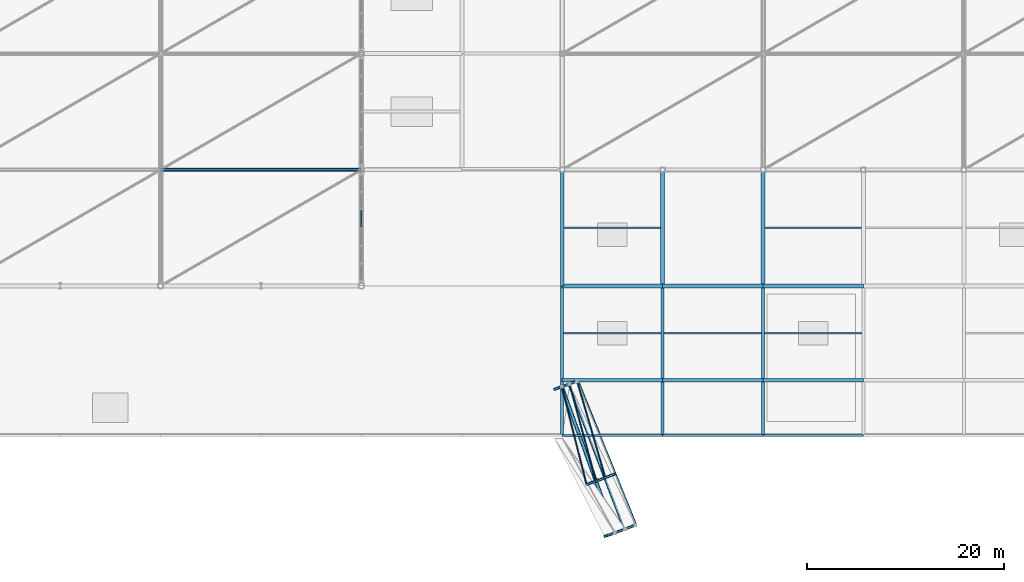
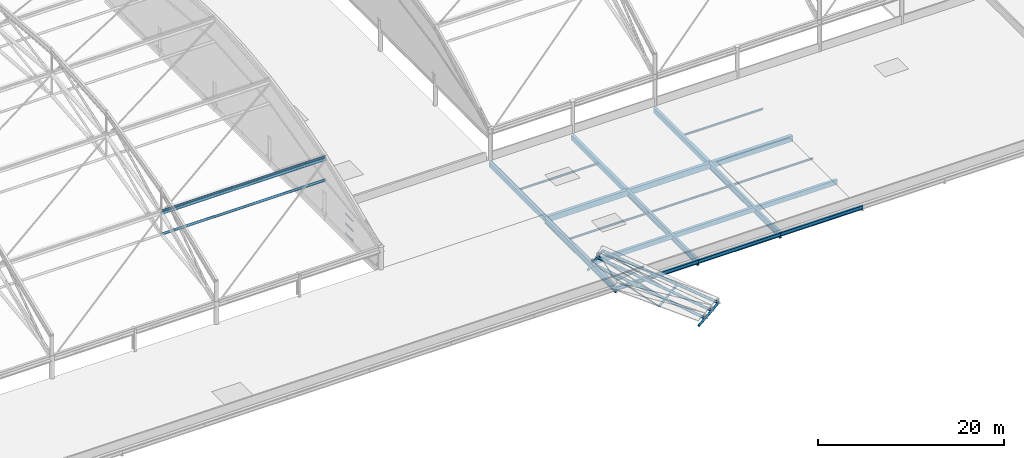
# One storey, part 47 of 135: 21 members, 20 beams, 1 element without a shape of its own.
"""IFC4 building model written with IfcOpenShell, lengths in metres."""

import ifcopenshell
import ifcopenshell.guid

model = None  # the IFC model being written
_history = None  # IfcOwnerHistory: only IFC2X3 demands one
_inside = {}  # id of a spatial element -> (the spatial element, [elements in it])
_under = {}  # id of a project, library or spatial element -> (it, [spatial elements below it])
_declared = {}  # id of a project -> (the project, [libraries it declares])
_typed = {}  # id of a type object -> (the type object, [elements of that type])
_made_of = {}  # id of a material, layer set ... -> (it, [elements and type objects made of it])


def new_model(schema):
    """Start an empty IFC model of exactly this schema.

    Asked for "IFC4X3", IfcOpenShell would pick the latest addendum, in which some entities
    have other attributes; the version numbers below select the first issue.
    IFC2X3 requires an IfcOwnerHistory on every rooted entity: one is made here for all.
    """
    global model, _history
    if schema == "IFC4X3":
        model = ifcopenshell.file(schema_version=(4, 3, 0, 0))
    else:
        model = ifcopenshell.file(schema=schema)
    _inside.clear()
    _under.clear()
    _declared.clear()
    _typed.clear()
    _made_of.clear()
    _history = None
    if model.schema == "IFC2X3":
        org = make("IfcOrganization", Name="unknown")
        user = make(
            "IfcPersonAndOrganization",
            ThePerson=make("IfcPerson", FamilyName="unknown"),
            TheOrganization=org,
        )
        app = make(
            "IfcApplication",
            ApplicationDeveloper=org,
            Version="unknown",
            ApplicationFullName="unknown",
            ApplicationIdentifier="unknown",
        )
        _history = make(
            "IfcOwnerHistory",
            OwningUser=user,
            OwningApplication=app,
            ChangeAction="ADDED",
            CreationDate=0,
        )
    return model


def make(cls, **values):
    """One entity of the class cls with the attributes given. An attribute that is None is left unset."""
    return model.create_entity(
        cls, **{name: value for name, value in values.items() if value is not None}
    )


def rooted(cls, **values):
    """An entity with a GlobalId (a new one), such as an element, a storey or a relation."""
    return make(cls, GlobalId=ifcopenshell.guid.new(), OwnerHistory=_history, **values)


def si_unit(unit_type, name, prefix=None):
    """IfcSIUnit, for example si_unit("LENGTHUNIT", "METRE", prefix="MILLI")."""
    return make("IfcSIUnit", UnitType=unit_type, Prefix=prefix, Name=name)


def assignment(units):
    """IfcUnitAssignment: the units of a project."""
    return None if units is None else make("IfcUnitAssignment", Units=units)


def point(xyz):
    """IfcCartesianPoint."""
    return None if xyz is None else make("IfcCartesianPoint", Coordinates=xyz)


def direction(xyz):
    """IfcDirection."""
    return None if xyz is None else make("IfcDirection", DirectionRatios=xyz)


def frame(location, z_axis=None, x_axis=None):
    """IfcAxis2Placement3D, a coordinate frame: its origin and axes. An axis left out is left unset."""
    return make(
        "IfcAxis2Placement3D",
        Location=point(location),
        Axis=direction(z_axis),
        RefDirection=direction(x_axis),
    )


def frame_2d(location, x_axis=None):
    """IfcAxis2Placement2D, a coordinate frame in the plane: its origin and x axis."""
    return make(
        "IfcAxis2Placement2D", Location=point(location), RefDirection=direction(x_axis)
    )


def origin():
    """The frame at (0, 0, 0) with its axes left unset."""
    return frame((0.0, 0.0, 0.0))


def origin_2d():
    """The frame at (0, 0) in the plane with its x axis left unset."""
    return frame_2d((0.0, 0.0))


def place(relative_to, where):
    """IfcLocalPlacement: puts the frame where relative to a parent placement (None: the world)."""
    return make(
        "IfcLocalPlacement", PlacementRelTo=relative_to, RelativePlacement=where
    )


def context(
    kind, dimensions, precision=None, world=None, true_north=None, identifier=None
):
    """IfcGeometricRepresentationContext, for example the 3D "Model" context."""
    return make(
        "IfcGeometricRepresentationContext",
        ContextIdentifier=identifier,
        ContextType=kind,
        CoordinateSpaceDimension=dimensions,
        Precision=precision,
        WorldCoordinateSystem=world,
        TrueNorth=true_north,
    )


def subcontext(parent, identifier, kind, view, scale=None):
    """IfcGeometricRepresentationSubContext, for example "Body" below "Model"."""
    return make(
        "IfcGeometricRepresentationSubContext",
        ContextIdentifier=identifier,
        ContextType=kind,
        ParentContext=parent,
        TargetScale=scale,
        TargetView=view,
    )


def project(units=None, contexts=None):
    """IfcProject with its units and contexts."""
    return rooted(
        "IfcProject",
        Name="project",
        RepresentationContexts=contexts,
        UnitsInContext=assignment(units),
    )


def spatial(cls, under=None, at=None, **own):
    """A site, building, storey or space (cls), placed at a placement, below another one or the project."""
    s = rooted(cls, ObjectPlacement=at, **own)
    if under is not None:
        _under.setdefault(under.id(), (under, []))[1].append(s)
    return s


def profile(cls, at=None, kind="AREA", **sizes):
    """A parametric profile (cls). Its sizes go by their IFC names, for example OverallWidth=200.0."""
    return make(cls, ProfileType=kind, Position=at, **sizes)


def rectangle(**sizes):
    """IfcRectangleProfileDef."""
    return profile("IfcRectangleProfileDef", **sizes)


def hollow_rectangle(**sizes):
    """IfcRectangleHollowProfileDef."""
    return profile("IfcRectangleHollowProfileDef", **sizes)


def hollow_circle(**sizes):
    """IfcCircleHollowProfileDef."""
    return profile("IfcCircleHollowProfileDef", **sizes)


def i_section(**sizes):
    """IfcIShapeProfileDef."""
    return profile("IfcIShapeProfileDef", **sizes)


def extrude(swept, where, along, depth):
    """IfcExtrudedAreaSolid: the profile swept, set in the frame where, extruded along a direction by depth."""
    return make(
        "IfcExtrudedAreaSolid",
        SweptArea=swept,
        Position=where,
        ExtrudedDirection=direction(along),
        Depth=depth,
    )


def shape(context_of_items, identifier, shape_type, items):
    """IfcShapeRepresentation: the items that make up one representation, for example the "Body"."""
    return make(
        "IfcShapeRepresentation",
        ContextOfItems=context_of_items,
        RepresentationIdentifier=identifier,
        RepresentationType=shape_type,
        Items=items,
    )


def material(Name=None, Category=None):
    """IfcMaterial."""
    return make("IfcMaterial", Name=Name, Category=Category)


def material_profile(
    of_material, cross_section, Name=None, Category=None, Priority=None
):
    """IfcMaterialProfile: a cross section and its material."""
    return make(
        "IfcMaterialProfile",
        Name=Name,
        Material=of_material,
        Profile=cross_section,
        Priority=Priority,
        Category=Category,
    )


def profile_set(profiles, Name=None, composite=None):
    """IfcMaterialProfileSet."""
    return make(
        "IfcMaterialProfileSet",
        Name=Name,
        MaterialProfiles=profiles,
        CompositeProfile=composite,
    )


def made_of(thing, what):
    """Note that an element or type object is made of a material, layer set ...; save() writes the relation."""
    if what is not None:
        _made_of.setdefault(what.id(), (what, []))[1].append(thing)
    return thing


def type_object(cls, material=None, **own):
    """A type object (cls), such as IfcWallType, which elements share."""
    return made_of(rooted(cls, **own), material)


def element(
    cls,
    number,
    at=None,
    inside=None,
    cuts=None,
    type_object=None,
    material=None,
    context=None,
    identifier="Body",
    shape_type=None,
    held_by="IfcProductDefinitionShape",
    body=None,
    shapes=None,
    **own,
):
    """One element of the class cls, such as IfcWall. Its Tag is "e" and its number.

    at: its placement. inside: the storey or other place that contains it. cuts: it is an
    opening in that element (IfcRelVoidsElement). A single representation is given by context,
    identifier, shape_type and body (its items); several are given by shapes. held_by: the class
    of the entity that holds the representations. save() writes the other relations.
    """
    e = rooted(cls, Tag="e%d" % number, ObjectPlacement=at, **own)
    if body is not None:
        shapes = [shape(context, identifier, shape_type, body)]
    if shapes is not None:
        e.Representation = make(held_by, Representations=shapes)
    if inside is not None:
        _inside.setdefault(inside.id(), (inside, []))[1].append(e)
    if cuts is not None:
        rooted(
            "IfcRelVoidsElement", RelatingBuildingElement=cuts, RelatedOpeningElement=e
        )
    if type_object is not None:
        _typed.setdefault(type_object.id(), (type_object, []))[1].append(e)
    return made_of(e, material)


def aggregate(whole, parts):
    """IfcRelAggregates: a whole, such as a stair, and the parts it consists of."""
    return rooted("IfcRelAggregates", RelatingObject=whole, RelatedObjects=parts)


def save(model, path):
    """Write the relations noted so far, then the file.

    IfcRelAggregates (storeys below a building ...), IfcRelContainedInSpatialStructure (elements
    in a storey), IfcRelDefinesByType, IfcRelAssociatesMaterial and IfcRelDeclares: one each for
    every whole, place, type object, material and project.
    """
    for whole, parts in _under.values():
        aggregate(whole, parts)
    for where, things in _inside.values():
        rooted(
            "IfcRelContainedInSpatialStructure",
            RelatedElements=things,
            RelatingStructure=where,
        )
    for kind, things in _typed.values():
        rooted("IfcRelDefinesByType", RelatedObjects=things, RelatingType=kind)
    for what, things in _made_of.values():
        rooted("IfcRelAssociatesMaterial", RelatedObjects=things, RelatingMaterial=what)
    for by, libraries in _declared.values():
        rooted("IfcRelDeclares", RelatingContext=by, RelatedDefinitions=libraries)
    model.write(path)


model = new_model("IFC4")

# Units and contexts
model_context = context("Model", 3, precision=1e-05, world=origin(), true_north=direction((0.0, 1.0)))
body_context = subcontext(model_context, "Body", "Model", "MODEL_VIEW")
ifc_project = project(units=[si_unit("LENGTHUNIT", "METRE"), si_unit("AREAUNIT", "SQUARE_METRE"), si_unit("VOLUMEUNIT", "CUBIC_METRE"), si_unit("PLANEANGLEUNIT", "RADIAN"), si_unit("MASSUNIT", "GRAM", prefix="KILO")], contexts=[model_context])

# Site, building, storey
site_placement = place(None, origin())
site = spatial("IfcSite", under=ifc_project, at=site_placement, CompositionType="ELEMENT")
building_placement = place(site_placement, origin())
building = spatial("IfcBuilding", under=site, at=building_placement, Name="Brelvane Convention Centre", CompositionType="ELEMENT")
storey_placement = place(building_placement, frame((0.0, 0.0, 15.0)))
storey = spatial("IfcBuildingStorey", under=building, at=storey_placement, Name="L03", CompositionType="ELEMENT", Elevation=15.0)

# Curtain wall, members
ifc_material_1 = material(Name="Anodised Aluminium Alloy 6063-T6", Category="aluminium")
curtain_wall_type = type_object("IfcCurtainWallType", Name="Curtain Wall CW-HULL-N", PredefinedType="USERDEFINED", material=ifc_material_1)
curtain_wall_placement = place(storey_placement, origin())
curtain_wall = element("IfcCurtainWall", 1, at=curtain_wall_placement, inside=storey, type_object=curtain_wall_type, Name="Curtain Wall CW-HULL-N L03-EXH-E-CLER-1", ObjectType="UNITISED", PredefinedType="USERDEFINED")
ifc_material_2 = material(Name="Anodised Aluminium Alloy 6063-T6", Category="aluminium")
ifc_material_profile_1 = material_profile(ifc_material_2, hollow_rectangle(XDim=0.080078125, YDim=0.179931640625, WallThickness=0.0048828125, InnerFilletRadius=0.0048828125, OuterFilletRadius=0.010009765625, at=origin_2d()), Name="ALU-T 180x80x5.0")
ifc_profile_set_1 = profile_set([ifc_material_profile_1], Name="Anodised Aluminium Alloy 6063-T6")
member_type_1 = type_object("IfcMemberType", Name="Curtain Transom CW-T1", PredefinedType="USERDEFINED", material=ifc_profile_set_1)
member_1_placement = place(storey_placement, frame((142.800048828125, 34.739990234375, 0.0400390625), z_axis=(0.0, 1.0, 0.0), x_axis=(-1.0, 0.0, 0.0)))
member_1 = element("IfcMember", 2, at=member_1_placement, type_object=member_type_1, Name="CW-HULL-N transom 4.1", ObjectType="TRANSOM", PredefinedType="USERDEFINED", context=body_context, shape_type="SweptSolid", body=[
    extrude(hollow_rectangle(XDim=0.080078125, YDim=0.179931640625, WallThickness=0.0048828125, InnerFilletRadius=0.0048828125, OuterFilletRadius=0.010009765625, at=origin_2d()), origin(), (0.0, 0.0, 1.0), 1.736572265625),
])
member_2_placement = place(storey_placement, frame((142.800048828125, 34.739990234375, 1.300048828125), z_axis=(0.0, 1.0, 0.0), x_axis=(-1.0, 0.0, 0.0)))
member_2 = element("IfcMember", 3, at=member_2_placement, type_object=member_type_1, Name="CW-HULL-N transom 4.2", ObjectType="TRANSOM", PredefinedType="USERDEFINED", context=body_context, shape_type="SweptSolid", body=[
    extrude(hollow_rectangle(XDim=0.080078125, YDim=0.179931640625, WallThickness=0.0048828125, InnerFilletRadius=0.0048828125, OuterFilletRadius=0.010009765625, at=origin_2d()), origin(), (0.0, 0.0, 1.0), 1.736572265625),
])
member_3_placement = place(storey_placement, frame((142.800048828125, 34.739990234375, 2.56005859375), z_axis=(0.0, 1.0, 0.0), x_axis=(-1.0, 0.0, 0.0)))
member_3 = element("IfcMember", 4, at=member_3_placement, type_object=member_type_1, Name="CW-HULL-N transom 4.3", ObjectType="TRANSOM", PredefinedType="USERDEFINED", context=body_context, shape_type="SweptSolid", body=[
    extrude(hollow_rectangle(XDim=0.080078125, YDim=0.179931640625, WallThickness=0.0048828125, InnerFilletRadius=0.0048828125, OuterFilletRadius=0.010009765625, at=origin_2d()), origin(), (0.0, 0.0, 1.0), 1.736572265625),
])
aggregate(curtain_wall, [member_1, member_2, member_3])

# Beams
ifc_material_3 = material(Name="Concrete M40", Category="concrete")
ifc_material_profile_2 = material_profile(ifc_material_3, rectangle(XDim=0.39990234375, YDim=0.75, at=origin_2d()), Name="RC 400x750")
ifc_profile_set_2 = profile_set([ifc_material_profile_2], Name="Concrete M40")
beam_type_1 = type_object("IfcBeamType", Name="RC Beam B-RC6 (RC 400x750)", PredefinedType="BEAM", material=ifc_profile_set_2)
beam_1_placement = place(storey_placement, frame((163.199951171875, 28.800048828125, -0.675048828125), z_axis=(1.0, 0.0, 0.0), x_axis=(0.0, 1.0, 0.0)))
element("IfcBeam", 5, at=beam_1_placement, inside=storey, type_object=beam_type_1, Name="L03 Beam 17-18/D", PredefinedType="BEAM", context=body_context, shape_type="SweptSolid", body=[
    extrude(rectangle(XDim=0.39990234375, YDim=0.75, at=origin_2d()), origin(), (0.0, 0.0, 1.0), 10.199951171875),
])
beam_2_placement = place(storey_placement, frame((173.39990234375, 28.800048828125, -0.675048828125), z_axis=(1.0, 0.0, 0.0), x_axis=(0.0, 1.0, 0.0)))
element("IfcBeam", 6, at=beam_2_placement, inside=storey, type_object=beam_type_1, Name="L03 Beam 18-19/D", PredefinedType="BEAM", context=body_context, shape_type="SweptSolid", body=[
    extrude(rectangle(XDim=0.39990234375, YDim=0.75, at=origin_2d()), origin(), (0.0, 0.0, 1.0), 10.2001953125),
])
beam_3_placement = place(storey_placement, frame((183.60009765625, 28.800048828125, -0.675048828125), z_axis=(1.0, 0.0, 0.0), x_axis=(0.0, 1.0, 0.0)))
element("IfcBeam", 7, at=beam_3_placement, inside=storey, type_object=beam_type_1, Name="L03 Beam 19-20/D", PredefinedType="BEAM", context=body_context, shape_type="SweptSolid", body=[
    extrude(rectangle(XDim=0.39990234375, YDim=0.75, at=origin_2d()), origin(), (0.0, 0.0, 1.0), 10.199951171875),
])
ifc_material_4 = material(Name="Concrete M40", Category="concrete")
ifc_material_profile_3 = material_profile(ifc_material_4, rectangle(XDim=0.39990234375, YDim=0.64990234375, at=origin_2d()), Name="RC 400x650")
ifc_profile_set_3 = profile_set([ifc_material_profile_3], Name="Concrete M40")
beam_type_2 = type_object("IfcBeamType", Name="RC Beam B-RC7 (RC 400x650)", PredefinedType="BEAM", material=ifc_profile_set_3)
for number, where, z_axis, x_axis, name in (
    (8, (173.39990234375, 28.800048828125, -0.625), (0.0, 1.0, 0.0), (-1.0, 0.0, 0.0), "L03 Girder 18/D-E"),
    (9, (183.60009765625, 28.800048828125, -0.625), (0.0, 1.0, 0.0), (-1.0, 0.0, 0.0), "L03 Girder 19/D-E"),
):
    element("IfcBeam", number, at=place(storey_placement, frame(where, z_axis=z_axis, x_axis=x_axis)), inside=storey, type_object=beam_type_2, Name=name, PredefinedType="BEAM", context=body_context, shape_type="SweptSolid", body=[
        extrude(rectangle(XDim=0.39990234375, YDim=0.64990234375, at=origin_2d()), origin(), (0.0, 0.0, 1.0), 11.800048828125),
    ])
ifc_material_5 = material(Name="Concrete M40", Category="concrete")
ifc_material_profile_4 = material_profile(ifc_material_5, rectangle(XDim=0.35009765625, YDim=0.60009765625, at=origin_2d()), Name="RC 350x600")
ifc_profile_set_4 = profile_set([ifc_material_profile_4], Name="Concrete M40")
beam_type_3 = type_object("IfcBeamType", Name="RC Spandrel SP-RC2 (RC 350x600)", PredefinedType="SPANDREL", material=ifc_profile_set_4)
beam_4_placement = place(storey_placement, frame((163.199951171875, 19.199951171875, -0.60009765625), z_axis=(1.0, 0.0, 0.0), x_axis=(0.0, 1.0, 0.0)))
element("IfcBeam", 10, at=beam_4_placement, inside=storey, type_object=beam_type_3, Name="L03 Beam 17-18/C", PredefinedType="SPANDREL", context=body_context, shape_type="SweptSolid", body=[
    extrude(rectangle(XDim=0.35009765625, YDim=0.60009765625, at=origin_2d()), origin(), (0.0, 0.0, 1.0), 10.199951171875),
])
beam_5_placement = place(storey_placement, frame((173.39990234375, 19.199951171875, -0.60009765625), z_axis=(1.0, 0.0, 0.0), x_axis=(0.0, 1.0, 0.0)))
element("IfcBeam", 11, at=beam_5_placement, inside=storey, type_object=beam_type_3, Name="L03 Beam 18-19/C", PredefinedType="SPANDREL", context=body_context, shape_type="SweptSolid", body=[
    extrude(rectangle(XDim=0.35009765625, YDim=0.60009765625, at=origin_2d()), origin(), (0.0, 0.0, 1.0), 10.2001953125),
])
beam_6_placement = place(storey_placement, frame((183.60009765625, 19.199951171875, -0.60009765625), z_axis=(1.0, 0.0, 0.0), x_axis=(0.0, 1.0, 0.0)))
element("IfcBeam", 12, at=beam_6_placement, inside=storey, type_object=beam_type_3, Name="L03 Beam 19-20/C", PredefinedType="SPANDREL", context=body_context, shape_type="SweptSolid", body=[
    extrude(rectangle(XDim=0.35009765625, YDim=0.60009765625, at=origin_2d()), origin(), (0.0, 0.0, 1.0), 10.199951171875),
])
beam_7_placement = place(storey_placement, frame((163.199951171875, 28.800048828125, -0.60009765625), z_axis=(0.0, 1.0, 0.0), x_axis=(-1.0, 0.0, 0.0)))
element("IfcBeam", 13, at=beam_7_placement, inside=storey, type_object=beam_type_3, Name="L03 Girder 17/D-E", PredefinedType="SPANDREL", context=body_context, shape_type="SweptSolid", body=[
    extrude(rectangle(XDim=0.35009765625, YDim=0.60009765625, at=origin_2d()), origin(), (0.0, 0.0, 1.0), 11.800048828125),
])
ifc_material_6 = material(Name="Steel E450 (450 MPa)", Category="steel")
ifc_material_profile_5 = material_profile(ifc_material_6, i_section(OverallWidth=0.300048828125, OverallDepth=0.800048828125, WebThickness=0.015380859375, FlangeThickness=0.030029296875, FilletRadius=0.027099609375, at=origin_2d()), Name="NPB 800x300")
ifc_profile_set_5 = profile_set([ifc_material_profile_5], Name="Steel E450 (450 MPa)")
beam_type_4 = type_object("IfcBeamType", Name="Steel Beam B-ST2 (NPB 800x300)", PredefinedType="BEAM", material=ifc_profile_set_5)
for number, where, z_axis, x_axis, name in (
    (14, (163.199951171875, 13.60009765625, -0.699951171875), (0.0, 1.0, 0.0), (-1.0, 0.0, 0.0), "L03 Hull Cantilever Girder 17"),
    (15, (173.39990234375, 13.60009765625, -0.699951171875), (0.0, 1.0, 0.0), (-1.0, 0.0, 0.0), "L03 Hull Cantilever Girder 18"),
    (16, (183.60009765625, 13.60009765625, -0.699951171875), (0.0, 1.0, 0.0), (-1.0, 0.0, 0.0), "L03 Hull Cantilever Girder 19"),
):
    element("IfcBeam", number, at=place(storey_placement, frame(where, z_axis=z_axis, x_axis=x_axis)), inside=storey, type_object=beam_type_4, Name=name, PredefinedType="BEAM", context=body_context, shape_type="SweptSolid", body=[
        extrude(i_section(OverallWidth=0.300048828125, OverallDepth=0.800048828125, WebThickness=0.015380859375, FlangeThickness=0.030029296875, FilletRadius=0.027099609375, at=origin_2d()), origin(), (0.0, 0.0, 1.0), 15.199951171875),
    ])

# Members
ifc_material_7 = material(Name="Steel E350 (350 MPa)", Category="steel")
ifc_material_profile_6 = material_profile(ifc_material_7, hollow_circle(Radius=0.084228515625, WallThickness=0.008056640625, at=origin_2d()), Name="CHS 168.3x8.0")
ifc_profile_set_6 = profile_set([ifc_material_profile_6], Name="Steel E350 (350 MPa)")
member_type_2 = type_object("IfcMemberType", Name="Steel Brace SF-DG3 (CHS 168.3x8.0)", PredefinedType="BRACE", material=ifc_profile_set_6)
for number, where, z_axis, x_axis, name in (
    (17, (164.70751953125, 19.147705078125, 0.52001953125), (0.280526851765, -0.959012616023, -0.039993596341), (0.959780501778, 0.280751470889, 0.0), "Boulevard Canopy Space-Frame Brace 00"),
    (18, (163.937744140625, 18.844970703125, 0.110107421875), (0.262706597096, -0.964027690421, -0.040445716009), (0.964817164366, 0.262921736158, 0.0), "Boulevard Canopy Space-Frame Brace 01"),
    (19, (163.16259765625, 18.556396484375, -0.304443359375), (0.244770175204, -0.968719176272, -0.040874427856), (0.969529420377, 0.244974902845, 0.0), "Boulevard Canopy Space-Frame Brace 02"),
):
    element("IfcMember", number, at=place(storey_placement, frame(where, z_axis=z_axis, x_axis=x_axis)), inside=storey, type_object=member_type_2, Name=name, PredefinedType="BRACE", context=body_context, shape_type="SweptSolid", body=[
        extrude(hollow_circle(Radius=0.084228515625, WallThickness=0.008056640625, at=origin_2d()), origin(), (0.0, 0.0, 1.0), 10.24951171875),
    ])
ifc_material_8 = material(Name="Steel E450 (450 MPa)", Category="steel")
ifc_material_profile_7 = material_profile(ifc_material_8, hollow_circle(Radius=0.136474609375, WallThickness=0.012451171875, at=origin_2d()), Name="CHS 273.0x12.5")
ifc_profile_set_7 = profile_set([ifc_material_profile_7], Name="Steel E450 (450 MPa)")
member_type_3 = type_object("IfcMemberType", Name="Steel Chord CN-CH1 (CHS 273.0x12.5)", PredefinedType="CHORD", material=ifc_profile_set_7)
member_4_placement = place(storey_placement, frame((164.70751953125, 19.147705078125, 0.52001953125), z_axis=(-0.833845453288, -0.327931608651, -0.444029976553), x_axis=(0.365990225601, -0.930618694614, 0.0)))
element("IfcMember", 20, at=member_4_placement, inside=storey, type_object=member_type_3, Name="Boulevard Canopy Arc Chord IN-00", PredefinedType="CHORD", context=body_context, shape_type="SweptSolid", body=[
    extrude(hollow_circle(Radius=0.136474609375, WallThickness=0.012451171875, at=origin_2d()), origin(), (0.0, 0.0, 1.0), 0.923095703125),
])
member_5_placement = place(storey_placement, frame((168.5283203125, 9.690185546875, 0.52001953125), z_axis=(-0.863041722517, -0.33937840005, -0.374140731243), x_axis=(0.365957158915, -0.930631698278, 0.0)))
element("IfcMember", 21, at=member_5_placement, inside=storey, type_object=member_type_3, Name="Boulevard Canopy Arc Chord COL-00", PredefinedType="CHORD", context=body_context, shape_type="SweptSolid", body=[
    extrude(hollow_circle(Radius=0.136474609375, WallThickness=0.012451171875, at=origin_2d()), origin(), (0.0, 0.0, 1.0), 1.095703125),
])
member_6_placement = place(storey_placement, frame((170.626220703125, 4.498046875, 0.52001953125), z_axis=(-0.873914012175, -0.343710851825, -0.343710851825), x_axis=(0.36600980537, -0.930610994118, 0.0)))
element("IfcMember", 22, at=member_6_placement, inside=storey, type_object=member_type_3, Name="Boulevard Canopy Arc Chord OUT-00", PredefinedType="CHORD", context=body_context, shape_type="SweptSolid", body=[
    extrude(hollow_circle(Radius=0.136474609375, WallThickness=0.012451171875, at=origin_2d()), origin(), (0.0, 0.0, 1.0), 1.192626953125),
])
member_7_placement = place(storey_placement, frame((163.937744140625, 18.844970703125, 0.110107421875), z_axis=(-0.837822654128, -0.311907520371, -0.448070194239), x_axis=(0.348890476559, -0.93716350514, 0.0)))
element("IfcMember", 23, at=member_7_placement, inside=storey, type_object=member_type_3, Name="Boulevard Canopy Arc Chord IN-01", PredefinedType="CHORD", context=body_context, shape_type="SweptSolid", body=[
    extrude(hollow_circle(Radius=0.136474609375, WallThickness=0.012451171875, at=origin_2d()), origin(), (0.0, 0.0, 1.0), 0.92529296875),
])
member_8_placement = place(storey_placement, frame((167.582763671875, 9.318359375, 0.110107421875), z_axis=(-0.867823513116, -0.322792083448, -0.377740150031), x_axis=(0.348620826085, -0.937263847387, 0.0)))
element("IfcMember", 24, at=member_8_placement, inside=storey, type_object=member_type_3, Name="Boulevard Canopy Arc Chord COL-01", PredefinedType="CHORD", context=body_context, shape_type="SweptSolid", body=[
    extrude(hollow_circle(Radius=0.136474609375, WallThickness=0.012451171875, at=origin_2d()), origin(), (0.0, 0.0, 1.0), 1.097412109375),
])
member_9_placement = place(storey_placement, frame((169.583984375, 4.088134765625, 0.110107421875), z_axis=(-0.878957819789, -0.32705407248, -0.347086134419), x_axis=(0.348733712021, -0.937221851058, 0.0)))
element("IfcMember", 25, at=member_9_placement, inside=storey, type_object=member_type_3, Name="Boulevard Canopy Arc Chord OUT-01", PredefinedType="CHORD", context=body_context, shape_type="SweptSolid", body=[
    extrude(hollow_circle(Radius=0.136474609375, WallThickness=0.012451171875, at=origin_2d()), origin(), (0.0, 0.0, 1.0), 1.1943359375),
])
member_10_placement = place(storey_placement, frame((163.16259765625, 18.556396484375, -0.304443359375), z_axis=(-0.841760818854, -0.295248397351, -0.451959188095), x_axis=(0.330981632501, -0.943637196674, 0.0)))
element("IfcMember", 26, at=member_10_placement, inside=storey, type_object=member_type_3, Name="Boulevard Canopy Arc Chord IN-02", PredefinedType="CHORD", context=body_context, shape_type="SweptSolid", body=[
    extrude(hollow_circle(Radius=0.136474609375, WallThickness=0.012451171875, at=origin_2d()), origin(), (0.0, 0.0, 1.0), 0.927001953125),
])
member_11_placement = place(storey_placement, frame((166.63037109375, 8.964111328125, -0.304443359375), z_axis=(-0.872340219432, -0.306251823472, -0.38109363965), x_axis=(0.331249054793, -0.943543355495, 0.0)))
element("IfcMember", 27, at=member_11_placement, inside=storey, type_object=member_type_3, Name="Boulevard Canopy Arc Chord COL-02", PredefinedType="CHORD", context=body_context, shape_type="SweptSolid", body=[
    extrude(hollow_circle(Radius=0.136474609375, WallThickness=0.012451171875, at=origin_2d()), origin(), (0.0, 0.0, 1.0), 1.099365234375),
])
member_12_placement = place(storey_placement, frame((168.5341796875, 3.697509765625, -0.304443359375), z_axis=(-0.883795985134, -0.310114599542, -0.350333543657), x_axis=(0.3310979276, -0.943596398011, 0.0)))
element("IfcMember", 28, at=member_12_placement, inside=storey, type_object=member_type_3, Name="Boulevard Canopy Arc Chord OUT-02", PredefinedType="CHORD", context=body_context, shape_type="SweptSolid", body=[
    extrude(hollow_circle(Radius=0.136474609375, WallThickness=0.012451171875, at=origin_2d()), origin(), (0.0, 0.0, 1.0), 1.19580078125),
])
ifc_material_9 = material(Name="Steel E350 (350 MPa)", Category="steel")
ifc_material_profile_8 = material_profile(ifc_material_9, hollow_circle(Radius=0.161865234375, WallThickness=0.012451171875, at=origin_2d()), Name="CHS 323.9x12.5")
ifc_profile_set_8 = profile_set([ifc_material_profile_8], Name="Steel E350 (350 MPa)")
member_type_4 = type_object("IfcMemberType", Name="Steel Chord SF-BC2 (CHS 323.9x12.5)", PredefinedType="CHORD", material=ifc_profile_set_8)
member_13_placement = place(storey_placement, frame((122.39990234375, 40.60009765625, 4.489013671875), z_axis=(1.0, 0.0, 0.0), x_axis=(0.0, 1.0, 0.0)))
element("IfcMember", 29, at=member_13_placement, inside=storey, type_object=member_type_4, Name="SF_EXH Longitudinal Bottom Chord LB7.2", PredefinedType="CHORD", context=body_context, shape_type="SweptSolid", body=[
    extrude(hollow_circle(Radius=0.161865234375, WallThickness=0.012451171875, at=origin_2d()), origin(), (0.0, 0.0, 1.0), 20.400146484375),
])
ifc_material_10 = material(Name="Steel E450 (450 MPa)", Category="steel")
ifc_material_profile_9 = material_profile(ifc_material_10, hollow_circle(Radius=0.177734375, WallThickness=0.01611328125, at=origin_2d()), Name="CHS 355.6x16.0")
ifc_profile_set_9 = profile_set([ifc_material_profile_9], Name="Steel E450 (450 MPa)")
member_type_5 = type_object("IfcMemberType", Name="Steel Chord SF-TC2 (CHS 355.6x16.0)", PredefinedType="CHORD", material=ifc_profile_set_9)
member_14_placement = place(storey_placement, frame((122.39990234375, 40.60009765625, 7.22900390625), z_axis=(1.0, 0.0, 0.0), x_axis=(0.0, 1.0, 0.0)))
element("IfcMember", 30, at=member_14_placement, inside=storey, type_object=member_type_5, Name="SF_EXH Longitudinal Top Chord LT7.2", PredefinedType="CHORD", context=body_context, shape_type="SweptSolid", body=[
    extrude(hollow_circle(Radius=0.177734375, WallThickness=0.01611328125, at=origin_2d()), origin(), (0.0, 0.0, 1.0), 20.400146484375),
])

# Beams
ifc_material_11 = material(Name="Steel E350 (350 MPa)", Category="steel")
ifc_material_profile_10 = material_profile(ifc_material_11, i_section(OverallWidth=0.125, OverallDepth=0.25, WebThickness=0.0068359375, FlangeThickness=0.012451171875, FilletRadius=0.012939453125, at=origin_2d()), Name="ISMB 250")
ifc_profile_set_10 = profile_set([ifc_material_profile_10], Name="Steel E350 (350 MPa)")
beam_type_5 = type_object("IfcBeamType", Name="Steel Joist J-ST4 (ISMB 250)", PredefinedType="JOIST", material=ifc_profile_set_10)
beam_8_placement = place(storey_placement, frame((163.35009765625, 24.0, -0.425048828125), z_axis=(1.0, 0.0, 0.0), x_axis=(0.0, 1.0, 0.0)))
element("IfcBeam", 31, at=beam_8_placement, inside=storey, type_object=beam_type_5, Name="L03 Secondary Joist 17-18/CD", PredefinedType="JOIST", context=body_context, shape_type="SweptSolid", body=[
    extrude(i_section(OverallWidth=0.125, OverallDepth=0.25, WebThickness=0.0068359375, FlangeThickness=0.012451171875, FilletRadius=0.012939453125, at=origin_2d()), origin(), (0.0, 0.0, 1.0), 9.89990234375),
])
beam_9_placement = place(storey_placement, frame((163.375, 34.699951171875, -0.425048828125), z_axis=(1.0, 0.0, 0.0), x_axis=(0.0, 1.0, 0.0)))
element("IfcBeam", 32, at=beam_9_placement, inside=storey, type_object=beam_type_5, Name="L03 Secondary Joist 17-18/DE", PredefinedType="JOIST", context=body_context, shape_type="SweptSolid", body=[
    extrude(i_section(OverallWidth=0.125, OverallDepth=0.25, WebThickness=0.0068359375, FlangeThickness=0.012451171875, FilletRadius=0.012939453125, at=origin_2d()), origin(), (0.0, 0.0, 1.0), 9.824951171875),
])
for number, where, z_axis, x_axis, name in (
    (33, (173.550048828125, 24.0, -0.425048828125), (1.0, 0.0, 0.0), (0.0, 1.0, 0.0), "L03 Secondary Joist 18-19/CD"),
    (34, (183.75, 24.0, -0.425048828125), (1.0, 0.0, 0.0), (0.0, 1.0, 0.0), "L03 Secondary Joist 19-20/CD"),
):
    element("IfcBeam", number, at=place(storey_placement, frame(where, z_axis=z_axis, x_axis=x_axis)), inside=storey, type_object=beam_type_5, Name=name, PredefinedType="JOIST", context=body_context, shape_type="SweptSolid", body=[
        extrude(i_section(OverallWidth=0.125, OverallDepth=0.25, WebThickness=0.0068359375, FlangeThickness=0.012451171875, FilletRadius=0.012939453125, at=origin_2d()), origin(), (0.0, 0.0, 1.0), 9.89990234375),
    ])
beam_10_placement = place(storey_placement, frame((183.800048828125, 34.699951171875, -0.425048828125), z_axis=(1.0, 0.0, 0.0), x_axis=(0.0, 1.0, 0.0)))
element("IfcBeam", 35, at=beam_10_placement, inside=storey, type_object=beam_type_5, Name="L03 Secondary Joist 19-20/DE", PredefinedType="JOIST", context=body_context, shape_type="SweptSolid", body=[
    extrude(i_section(OverallWidth=0.125, OverallDepth=0.25, WebThickness=0.0068359375, FlangeThickness=0.012451171875, FilletRadius=0.012939453125, at=origin_2d()), origin(), (0.0, 0.0, 1.0), 9.800048828125),
])

# Members
ifc_material_12 = material(Name="Steel E350 (350 MPa)", Category="steel")
ifc_material_profile_11 = material_profile(ifc_material_12, i_section(OverallWidth=0.125, OverallDepth=0.25, WebThickness=0.0068359375, FlangeThickness=0.012451171875, FilletRadius=0.012939453125, at=origin_2d()), Name="ISMB 250")
ifc_profile_set_11 = profile_set([ifc_material_profile_11], Name="Steel E350 (350 MPa)")
member_type_6 = type_object("IfcMemberType", Name="Steel Purlin PR-ST1 (ISMB 250)", PredefinedType="PURLIN", material=ifc_profile_set_11)
member_15_placement = place(storey_placement, frame((122.39990234375, 40.60009765625, 7.56396484375), z_axis=(1.0, 0.0, 0.0), x_axis=(0.0, 1.0, 0.0)))
element("IfcMember", 36, at=member_15_placement, inside=storey, type_object=member_type_6, Name="SF_EXH Roof Purlin P7.2", PredefinedType="PURLIN", context=body_context, shape_type="SweptSolid", body=[
    extrude(i_section(OverallWidth=0.125, OverallDepth=0.25, WebThickness=0.0068359375, FlangeThickness=0.012451171875, FilletRadius=0.012939453125, at=origin_2d()), origin(), (0.0, 0.0, 1.0), 20.400146484375),
])
ifc_material_13 = material(Name="Steel E450 (450 MPa)", Category="steel")
ifc_material_profile_12 = material_profile(ifc_material_13, hollow_circle(Radius=0.177734375, WallThickness=0.01611328125, at=origin_2d()), Name="CHS 355.6x16.0")
ifc_profile_set_12 = profile_set([ifc_material_profile_12], Name="Steel E450 (450 MPa)")
member_type_7 = type_object("IfcMemberType", Name="Steel Rafter CN-RF1 (CHS 355.6x16.0)", PredefinedType="RAFTER", material=ifc_profile_set_12)
for number, where, z_axis, x_axis, name in (
    (37, (164.70751953125, 19.147705078125, 0.52001953125), (0.374598707254, -0.927187040744, 0.0), (0.927187040744, 0.374598707254, 0.0), "Boulevard Canopy Radial Rafter R-00"),
    (38, (163.937744140625, 18.844970703125, 0.110107421875), (0.357353945239, -0.933969034723, 0.0), (0.933969034723, 0.357353945239, 0.0), "Boulevard Canopy Radial Rafter R-01"),
    (39, (163.16259765625, 18.556396484375, -0.304443359375), (0.339973268437, -0.9404350997, 0.0), (0.9404350997, 0.339973268437, 0.0), "Boulevard Canopy Radial Rafter R-02"),
):
    element("IfcMember", number, at=place(storey_placement, frame(where, z_axis=z_axis, x_axis=x_axis)), inside=storey, type_object=member_type_7, Name=name, PredefinedType="RAFTER", context=body_context, shape_type="SweptSolid", body=[
        extrude(hollow_circle(Radius=0.177734375, WallThickness=0.01611328125, at=origin_2d()), origin(), (0.0, 0.0, 1.0), 15.800048828125),
    ])

# Beams
ifc_material_14 = material(Name="Steel E350 (350 MPa)", Category="steel")
ifc_material_profile_13 = material_profile(ifc_material_14, i_section(OverallWidth=0.25, OverallDepth=0.5, WebThickness=0.010009765625, FlangeThickness=0.0146484375, FilletRadius=0.01611328125, at=origin_2d()), Name="ISWB 500")
ifc_profile_set_13 = profile_set([ifc_material_profile_13], Name="Steel E350 (350 MPa)")
beam_type_6 = type_object("IfcBeamType", Name="Steel Spandrel SP-ST1 (ISWB 500)", PredefinedType="SPANDREL", material=ifc_profile_set_13)
beam_11_placement = place(storey_placement, frame((163.199951171875, 13.60009765625, -0.550048828125), z_axis=(1.0, 0.0, 0.0), x_axis=(0.0, 1.0, 0.0)))
element("IfcBeam", 40, at=beam_11_placement, inside=storey, type_object=beam_type_6, Name="L03 Hull Overhang Edge Spandrel 17", PredefinedType="SPANDREL", context=body_context, shape_type="SweptSolid", body=[
    extrude(i_section(OverallWidth=0.25, OverallDepth=0.5, WebThickness=0.010009765625, FlangeThickness=0.0146484375, FilletRadius=0.01611328125, at=origin_2d()), origin(), (0.0, 0.0, 1.0), 10.199951171875),
])
beam_12_placement = place(storey_placement, frame((173.39990234375, 13.60009765625, -0.550048828125), z_axis=(1.0, 0.0, 0.0), x_axis=(0.0, 1.0, 0.0)))
element("IfcBeam", 41, at=beam_12_placement, inside=storey, type_object=beam_type_6, Name="L03 Hull Overhang Edge Spandrel 18", PredefinedType="SPANDREL", context=body_context, shape_type="SweptSolid", body=[
    extrude(i_section(OverallWidth=0.25, OverallDepth=0.5, WebThickness=0.010009765625, FlangeThickness=0.0146484375, FilletRadius=0.01611328125, at=origin_2d()), origin(), (0.0, 0.0, 1.0), 10.2001953125),
])
beam_13_placement = place(storey_placement, frame((183.60009765625, 13.60009765625, -0.550048828125), z_axis=(1.0, 0.0, 0.0), x_axis=(0.0, 1.0, 0.0)))
element("IfcBeam", 42, at=beam_13_placement, inside=storey, type_object=beam_type_6, Name="L03 Hull Overhang Edge Spandrel 19", PredefinedType="SPANDREL", context=body_context, shape_type="SweptSolid", body=[
    extrude(i_section(OverallWidth=0.25, OverallDepth=0.5, WebThickness=0.010009765625, FlangeThickness=0.0146484375, FilletRadius=0.01611328125, at=origin_2d()), origin(), (0.0, 0.0, 1.0), 10.199951171875),
])

save(model, "model.ifc")
